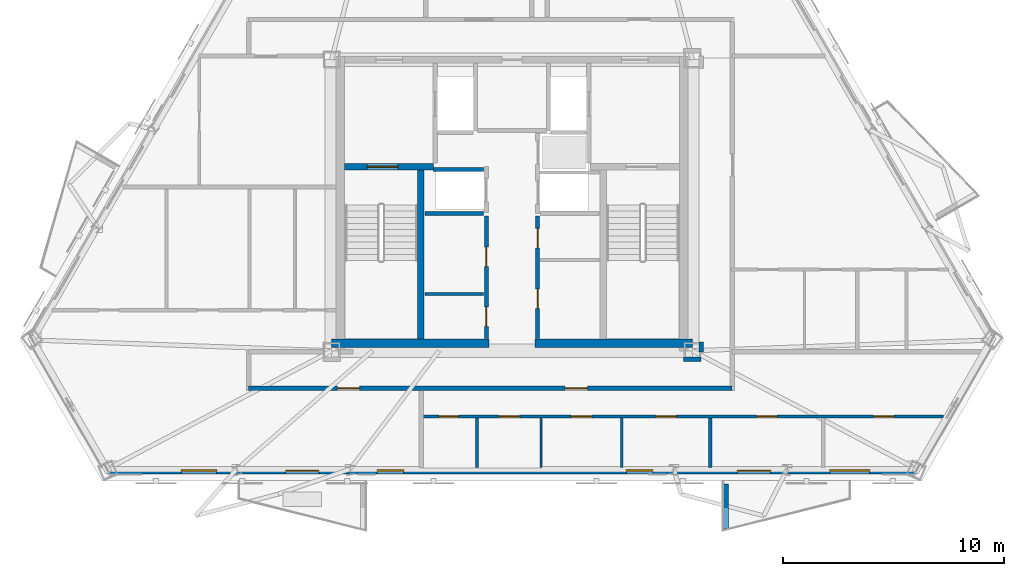
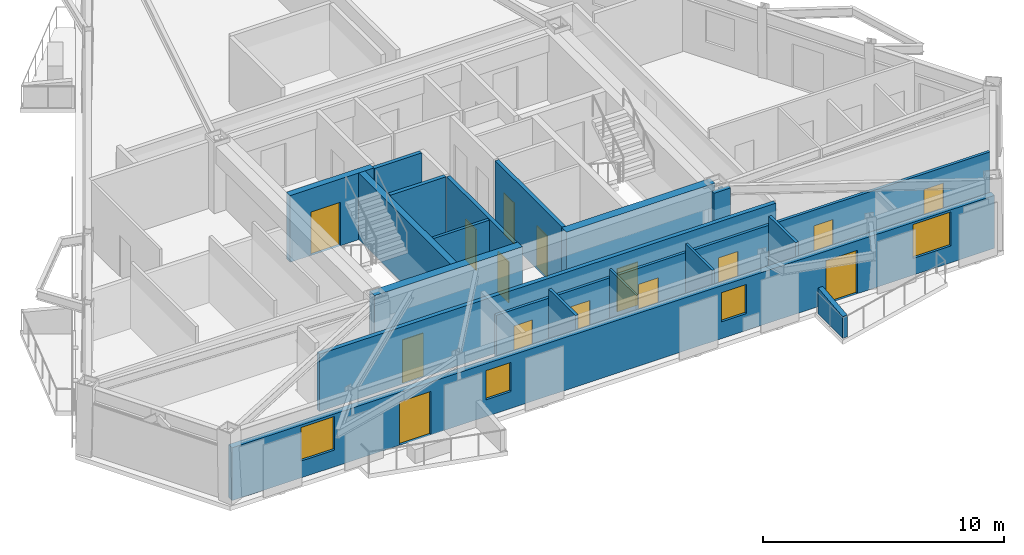
# One storey, part 3 of 11: 19 walls, 15 doors, 4 windows, 19 openings.
"""IFC4 building model written with IfcOpenShell, lengths in metres."""

from ifc_helpers import new_model, si_unit, direction, frame, frame_2d, origin, place, context, subcontext, project, spatial, polyline, rectangle, outline, extrude, material, layer, layer_set, type_object, element, fill, save


model = new_model("IFC4")

# Units and contexts
model_context = context("Model", 3, precision=1e-05, world=origin(), true_north=direction((0.0, 1.0)))
body_context = subcontext(model_context, "Body", "Model", "MODEL_VIEW")
ifc_project = project(units=[si_unit("LENGTHUNIT", "METRE"), si_unit("AREAUNIT", "SQUARE_METRE"), si_unit("VOLUMEUNIT", "CUBIC_METRE"), si_unit("PLANEANGLEUNIT", "RADIAN"), si_unit("MASSUNIT", "GRAM", prefix="KILO")], contexts=[model_context])

# Site, building, storey
site_placement = place(None, origin())
site = spatial("IfcSite", under=ifc_project, at=site_placement, CompositionType="ELEMENT")
building_placement = place(site_placement, origin())
building = spatial("IfcBuilding", under=site, at=building_placement, Name="Oramaril Tower", CompositionType="ELEMENT")
storey_placement = place(building_placement, frame((0.0, 0.0, 212.699951171875)))
storey = spatial("IfcBuildingStorey", under=building, at=storey_placement, Name="L56", CompositionType="ELEMENT", Elevation=212.699951171875)

# Wall, openings, doors, windows
ifc_material_1 = material(Name="Warm Cream Limestone", Category="masonry")
ifc_layer_1 = layer(ifc_material_1, 0.2900390625)
ifc_layer_set_1 = layer_set([ifc_layer_1], Name="WT-EXT29")
wall_type_1 = type_object("IfcWallType", Name="WT-EXT29", PredefinedType="SOLIDWALL", material=ifc_layer_set_1)
wall_1_placement = place(storey_placement, frame((19.238525390625, 5.584716796875, 0.0), z_axis=(0.0, 0.0, 1.0), x_axis=(1.0, 0.0, 0.0)))
wall_1 = element("IfcWall", 1, at=wall_1_placement, inside=storey, type_object=wall_type_1, Name="L56 Tower Limestone Facade Wall 2M", PredefinedType="SOLIDWALL", context=body_context, shape_type="SweptSolid", body=[
    extrude(rectangle(XDim=36.52294921875, YDim=0.2900390625, at=frame_2d((18.261474609375, 0.0))), origin(), (0.0, 0.0, 1.0), 2.677001953125),
])
opening_1_placement = place(wall_1_placement, frame((8.034423828125, 0.0, 0.0)))
opening_1 = element("IfcOpeningElement", 2, at=opening_1_placement, cuts=wall_1, Name="Opening D-L56-BAL-S1", PredefinedType="OPENING", context=body_context, shape_type="SweptSolid", body=[
    extrude(rectangle(XDim=1.5, YDim=2.199951171875, at=frame_2d((0.75, 1.10009765625))), frame((0.0, 0.14501953125, 0.0), z_axis=(0.0, -1.0, 0.0), x_axis=(1.0, 0.0, 0.0)), (0.0, 0.0, 1.0), 0.2900390625),
])
opening_2_placement = place(wall_1_placement, frame((28.443359375, 0.0, 0.0)))
opening_2 = element("IfcOpeningElement", 3, at=opening_2_placement, cuts=wall_1, Name="Opening D-L56-BAL-S2", PredefinedType="OPENING", context=body_context, shape_type="SweptSolid", body=[
    extrude(rectangle(XDim=1.5, YDim=2.199951171875, at=frame_2d((0.75, 1.10009765625))), frame((0.0, 0.14501953125, 0.0), z_axis=(0.0, -1.0, 0.0), x_axis=(1.0, 0.0, 0.0)), (0.0, 0.0, 1.0), 0.2900390625),
])
opening_3_placement = place(wall_1_placement, frame((23.430908203125, 0.0, 0.85009765625)))
opening_3 = element("IfcOpeningElement", 4, at=opening_3_placement, cuts=wall_1, Name="Opening WN-09", PredefinedType="OPENING", context=body_context, shape_type="SweptSolid", body=[
    extrude(rectangle(XDim=1.199951171875, YDim=1.47998046875, at=frame_2d((0.60009765625, 0.739990234375))), frame((0.0, 0.14501953125, 0.0), z_axis=(0.0, -1.0, 0.0), x_axis=(1.0, 0.0, 0.0)), (0.0, 0.0, 1.0), 0.2900390625),
])
opening_4_placement = place(wall_1_placement, frame((32.623291015625, 0.0, 0.85009765625)))
opening_4 = element("IfcOpeningElement", 5, at=opening_4_placement, cuts=wall_1, Name="Opening WN-06", PredefinedType="OPENING", context=body_context, shape_type="SweptSolid", body=[
    extrude(rectangle(XDim=1.800048828125, YDim=1.717041015625, at=frame_2d((0.89990234375, 0.8583984375))), frame((0.0, 0.14501953125, 0.0), z_axis=(0.0, -1.0, 0.0), x_axis=(1.0, 0.0, 0.0)), (0.0, 0.0, 1.0), 0.2900390625),
])
opening_5_placement = place(wall_1_placement, frame((3.31591796875, 0.0, 0.85009765625)))
opening_5 = element("IfcOpeningElement", 6, at=opening_5_placement, cuts=wall_1, Name="Opening WN-07", PredefinedType="OPENING", context=body_context, shape_type="SweptSolid", body=[
    extrude(rectangle(XDim=1.60009765625, YDim=1.699951171875, at=frame_2d((0.800048828125, 0.85009765625))), frame((0.0, 0.14501953125, 0.0), z_axis=(0.0, -1.0, 0.0), x_axis=(1.0, 0.0, 0.0)), (0.0, 0.0, 1.0), 0.2900390625),
])
opening_6_placement = place(wall_1_placement, frame((12.16748046875, 0.0, 0.85009765625)))
opening_6 = element("IfcOpeningElement", 7, at=opening_6_placement, cuts=wall_1, Name="Opening WN-09", PredefinedType="OPENING", context=body_context, shape_type="SweptSolid", body=[
    extrude(rectangle(XDim=1.199951171875, YDim=1.47998046875, at=frame_2d((0.60009765625, 0.739990234375))), frame((0.0, 0.14501953125, 0.0), z_axis=(0.0, -1.0, 0.0), x_axis=(1.0, 0.0, 0.0)), (0.0, 0.0, 1.0), 0.2900390625),
])
ifc_material_2 = material(Name="Anodised Aluminium 6063-T6", Category="aluminium")
door_type_1 = type_object("IfcDoorType", Name="DT-BAL", OperationType="NOTDEFINED", PredefinedType="DOOR", material=ifc_material_2)
door_1_placement = place(opening_1_placement, origin())
door_1 = element("IfcDoor", 8, at=door_1_placement, inside=storey, type_object=door_type_1, Name="L56 Balcony Glazed Door L56-BAL-S1", OperationType="SINGLE_SWING_LEFT", OverallHeight=2.199951171875, OverallWidth=1.5, PredefinedType="DOOR", context=body_context, shape_type="SweptSolid", body=[
    extrude(rectangle(XDim=1.5, YDim=2.199951171875, at=frame_2d((0.75, 1.10009765625))), frame((0.0, 0.02490234375, 0.0), z_axis=(0.0, -1.0, 0.0), x_axis=(1.0, 0.0, 0.0)), (0.0, 0.0, 1.0), 0.050048828125),
])
fill(opening_1, door_1)
door_2_placement = place(opening_2_placement, origin())
door_2 = element("IfcDoor", 9, at=door_2_placement, inside=storey, type_object=door_type_1, Name="L56 Balcony Glazed Door L56-BAL-S2", OperationType="SINGLE_SWING_RIGHT", OverallHeight=2.199951171875, OverallWidth=1.5, PredefinedType="DOOR", context=body_context, shape_type="SweptSolid", body=[
    extrude(rectangle(XDim=1.5, YDim=2.199951171875, at=frame_2d((0.75, 1.10009765625))), frame((0.0, 0.02490234375, 0.0), z_axis=(0.0, -1.0, 0.0), x_axis=(1.0, 0.0, 0.0)), (0.0, 0.0, 1.0), 0.050048828125),
])
fill(opening_2, door_2)
ifc_material_3 = material(Name="Coastal Low-E Insulated Glass", Category="glass")
window_type_1 = type_object("IfcWindowType", Name="WNT-06", PartitioningType="SINGLE_PANEL", PredefinedType="WINDOW", material=ifc_material_3)
window_1_placement = place(opening_4_placement, origin())
window_1 = element("IfcWindow", 10, at=window_1_placement, inside=storey, type_object=window_type_1, Name="L56 Chicago Bay Window WN-06", OverallHeight=1.717041015625, OverallWidth=1.800048828125, PartitioningType="SINGLE_PANEL", PredefinedType="WINDOW", context=body_context, shape_type="SweptSolid", body=[
    extrude(rectangle(XDim=1.800048828125, YDim=1.717041015625, at=frame_2d((0.89990234375, 0.8583984375))), frame((0.0, 0.030029296875, 0.0), z_axis=(0.0, -1.0, 0.0), x_axis=(1.0, 0.0, 0.0)), (0.0, 0.0, 1.0), 0.06005859375),
])
fill(opening_4, window_1)
ifc_material_4 = material(Name="Coastal Low-E Insulated Glass", Category="glass")
window_type_2 = type_object("IfcWindowType", Name="WNT-07", PartitioningType="SINGLE_PANEL", PredefinedType="WINDOW", material=ifc_material_4)
window_2_placement = place(opening_5_placement, origin())
window_2 = element("IfcWindow", 11, at=window_2_placement, inside=storey, type_object=window_type_2, Name="L56 Chicago Bay Window WN-07", OverallHeight=1.699951171875, OverallWidth=1.60009765625, PartitioningType="SINGLE_PANEL", PredefinedType="WINDOW", context=body_context, shape_type="SweptSolid", body=[
    extrude(rectangle(XDim=1.60009765625, YDim=1.699951171875, at=frame_2d((0.800048828125, 0.85009765625))), frame((0.0, 0.030029296875, 0.0), z_axis=(0.0, -1.0, 0.0), x_axis=(1.0, 0.0, 0.0)), (0.0, 0.0, 1.0), 0.06005859375),
])
fill(opening_5, window_2)
ifc_material_5 = material(Name="Coastal Low-E Insulated Glass", Category="glass")
window_type_3 = type_object("IfcWindowType", Name="WNT-09", PartitioningType="SINGLE_PANEL", PredefinedType="WINDOW", material=ifc_material_5)
window_3_placement = place(opening_3_placement, origin())
window_3 = element("IfcWindow", 12, at=window_3_placement, inside=storey, type_object=window_type_3, Name="L56 Chicago Bay Window WN-09", OverallHeight=1.47998046875, OverallWidth=1.199951171875, PartitioningType="SINGLE_PANEL", PredefinedType="WINDOW", context=body_context, shape_type="SweptSolid", body=[
    extrude(rectangle(XDim=1.199951171875, YDim=1.47998046875, at=frame_2d((0.60009765625, 0.739990234375))), frame((0.0, 0.030029296875, 0.0), z_axis=(0.0, -1.0, 0.0), x_axis=(1.0, 0.0, 0.0)), (0.0, 0.0, 1.0), 0.06005859375),
])
fill(opening_3, window_3)
window_4_placement = place(opening_6_placement, origin())
window_4 = element("IfcWindow", 13, at=window_4_placement, inside=storey, type_object=window_type_3, Name="L56 Chicago Bay Window WN-09", OverallHeight=1.47998046875, OverallWidth=1.199951171875, PartitioningType="SINGLE_PANEL", PredefinedType="WINDOW", context=body_context, shape_type="SweptSolid", body=[
    extrude(rectangle(XDim=1.199951171875, YDim=1.47998046875, at=frame_2d((0.60009765625, 0.739990234375))), frame((0.0, 0.030029296875, 0.0), z_axis=(0.0, -1.0, 0.0), x_axis=(1.0, 0.0, 0.0)), (0.0, 0.0, 1.0), 0.06005859375),
])
fill(opening_6, window_4)

# Walls
ifc_material_6 = material(Name="Concrete C40/50", Category="concrete")
ifc_layer_2 = layer(ifc_material_6, 0.22998046875)
ifc_layer_set_2 = layer_set([ifc_layer_2], Name="WT-PRP23")
wall_type_2 = type_object("IfcWallType", Name="WT-PRP23", PredefinedType="PARAPET", material=ifc_layer_set_2)
wall_2_placement = place(storey_placement, frame((47.156982421875, 4.98681640625, 0.0), z_axis=(0.0, 0.0, 1.0), x_axis=(0.0, -1.0, 0.0)))
element("IfcWall", 14, at=wall_2_placement, inside=storey, type_object=wall_type_2, Name="L56 Trapezoidal Balcony Frame Cheek L56-BAL-S2-L", PredefinedType="PARAPET", context=body_context, shape_type="SweptSolid", body=[
    extrude(outline(polyline([(0.0, 0.0), (2.0419921875, 0.0), (2.0419921875, 1.10009765625), (0.0, 1.320068359375), (0.0, 0.0)])), frame((0.0, 0.114990234375, 0.0), z_axis=(0.0, -1.0, 0.0), x_axis=(1.0, 0.0, 0.0)), (0.0, 0.0, 1.0), 0.22998046875),
])
ifc_material_7 = material(Name="Acoustic Gypsum Board Partition")
ifc_layer_3 = layer(ifc_material_7, 0.10009765625)
ifc_layer_set_3 = layer_set([ifc_layer_3], Name="WT-PT10")
wall_type_3 = type_object("IfcWallType", Name="WT-PT10", PredefinedType="PARTITIONING", material=ifc_layer_set_3)
wall_3_placement = place(storey_placement, frame((38.81005859375, 5.73388671875, 0.0), z_axis=(0.0, 0.0, 1.0), x_axis=(0.0, 1.0, 0.0)))
element("IfcWall", 15, at=wall_3_placement, inside=storey, type_object=wall_type_3, Name="L56 Interior Partition PT-10", PredefinedType="PARTITIONING", context=body_context, shape_type="SweptSolid", body=[
    extrude(rectangle(XDim=2.22216796875, YDim=0.10009765625, at=frame_2d((1.111083984375, 0.0))), origin(), (0.0, 0.0, 1.0), 3.380126953125),
])
ifc_material_8 = material(Name="Acoustic Gypsum Board Partition")
ifc_layer_4 = layer(ifc_material_8, 0.1201171875)
ifc_layer_set_4 = layer_set([ifc_layer_4], Name="WT-PT12")
wall_type_4 = type_object("IfcWallType", Name="WT-PT12", PredefinedType="PARTITIONING", material=ifc_layer_set_4)
wall_4_placement = place(storey_placement, frame((42.4599609375, 5.73388671875, 0.0), z_axis=(0.0, 0.0, 1.0), x_axis=(0.0, 1.0, 0.0)))
element("IfcWall", 16, at=wall_4_placement, inside=storey, type_object=wall_type_4, Name="L56 Interior Partition PT-12", PredefinedType="PARTITIONING", context=body_context, shape_type="SweptSolid", body=[
    extrude(rectangle(XDim=2.22216796875, YDim=0.1201171875, at=frame_2d((1.111083984375, 0.0))), origin(), (0.0, 0.0, 1.0), 3.380126953125),
])
ifc_material_9 = material(Name="Acoustic Gypsum Board Partition")
ifc_layer_5 = layer(ifc_material_9, 0.139892578125)
ifc_layer_set_5 = layer_set([ifc_layer_5], Name="WT-PT14")
wall_type_5 = type_object("IfcWallType", Name="WT-PT14", PredefinedType="PARTITIONING", material=ifc_layer_set_5)
wall_5_placement = place(storey_placement, frame((33.56005859375, 13.570068359375, 0.0), z_axis=(0.0, 0.0, 1.0), x_axis=(1.0, 0.0, 0.0)))
element("IfcWall", 17, at=wall_5_placement, inside=storey, type_object=wall_type_5, Name="L56 Freed Shaft Divider", PredefinedType="PARTITIONING", context=body_context, shape_type="SweptSolid", body=[
    extrude(rectangle(XDim=2.659912109375, YDim=0.139892578125, at=frame_2d((1.330078125, 0.0))), origin(), (0.0, 0.0, 1.0), 3.380126953125),
])

# Wall, openings, doors
wall_6_placement = place(storey_placement, frame((33.35009765625, 8.030029296875, 0.0), z_axis=(0.0, 0.0, 1.0), x_axis=(1.0, 0.0, 0.0)))
wall_6 = element("IfcWall", 18, at=wall_6_placement, inside=storey, type_object=wall_type_5, Name="L56 Interior Partition PT-14", PredefinedType="PARTITIONING", context=body_context, shape_type="SweptSolid", body=[
    extrude(rectangle(XDim=23.651123046875, YDim=0.139892578125, at=frame_2d((11.82568359375, 0.0))), origin(), (0.0, 0.0, 1.0), 2.9130859375),
])
opening_7_placement = place(wall_6_placement, frame((0.85498046875, 0.0, 0.0)))
opening_7 = element("IfcOpeningElement", 19, at=opening_7_placement, cuts=wall_6, Name="Opening D-L56-01", PredefinedType="OPENING", context=body_context, shape_type="SweptSolid", body=[
    extrude(rectangle(XDim=0.8798828125, YDim=2.080078125, at=frame_2d((0.43994140625, 1.0400390625))), frame((0.0, 0.06982421875, 0.0), z_axis=(0.0, -1.0, 0.0), x_axis=(1.0, 0.0, 0.0)), (0.0, 0.0, 1.0), 0.139892578125),
])
opening_8_placement = place(wall_6_placement, frame((3.541748046875, 0.0, 0.0)))
opening_8 = element("IfcOpeningElement", 20, at=opening_8_placement, cuts=wall_6, Name="Opening D-L56-02", PredefinedType="OPENING", context=body_context, shape_type="SweptSolid", body=[
    extrude(rectangle(XDim=0.949951171875, YDim=2.10009765625, at=frame_2d((0.47509765625, 1.050048828125))), frame((0.0, 0.06982421875, 0.0), z_axis=(0.0, -1.0, 0.0), x_axis=(1.0, 0.0, 0.0)), (0.0, 0.0, 1.0), 0.139892578125),
])
opening_9_placement = place(wall_6_placement, frame((6.810302734375, 0.0, 0.0)))
opening_9 = element("IfcOpeningElement", 21, at=opening_9_placement, cuts=wall_6, Name="Opening D-L56-03", PredefinedType="OPENING", context=body_context, shape_type="SweptSolid", body=[
    extrude(rectangle(XDim=0.949951171875, YDim=2.10009765625, at=frame_2d((0.47509765625, 1.050048828125))), frame((0.0, 0.06982421875, 0.0), z_axis=(0.0, -1.0, 0.0), x_axis=(1.0, 0.0, 0.0)), (0.0, 0.0, 1.0), 0.139892578125),
])
opening_10_placement = place(wall_6_placement, frame((10.635498046875, 0.0, 0.0)))
opening_10 = element("IfcOpeningElement", 22, at=opening_10_placement, cuts=wall_6, Name="Opening D-L56-04", PredefinedType="OPENING", context=body_context, shape_type="SweptSolid", body=[
    extrude(rectangle(XDim=0.949951171875, YDim=2.10009765625, at=frame_2d((0.47509765625, 1.050048828125))), frame((0.0, 0.06982421875, 0.0), z_axis=(0.0, -1.0, 0.0), x_axis=(1.0, 0.0, 0.0)), (0.0, 0.0, 1.0), 0.139892578125),
])
opening_11_placement = place(wall_6_placement, frame((15.20458984375, 0.0, 0.0)))
opening_11 = element("IfcOpeningElement", 23, at=opening_11_placement, cuts=wall_6, Name="Opening D-L56-05", PredefinedType="OPENING", context=body_context, shape_type="SweptSolid", body=[
    extrude(rectangle(XDim=0.919921875, YDim=2.1201171875, at=frame_2d((0.4599609375, 1.06005859375))), frame((0.0, 0.06982421875, 0.0), z_axis=(0.0, -1.0, 0.0), x_axis=(1.0, 0.0, 0.0)), (0.0, 0.0, 1.0), 0.139892578125),
])
opening_12_placement = place(wall_6_placement, frame((20.4873046875, 0.0, 0.0)))
opening_12 = element("IfcOpeningElement", 24, at=opening_12_placement, cuts=wall_6, Name="Opening D-L56-06", PredefinedType="OPENING", context=body_context, shape_type="SweptSolid", body=[
    extrude(rectangle(XDim=0.919921875, YDim=2.1201171875, at=frame_2d((0.4599609375, 1.06005859375))), frame((0.0, 0.06982421875, 0.0), z_axis=(0.0, -1.0, 0.0), x_axis=(1.0, 0.0, 0.0)), (0.0, 0.0, 1.0), 0.139892578125),
])
ifc_material_10 = material(Name="FSC Brazilian Freijo Hardwood", Category="wood")
door_type_2 = type_object("IfcDoorType", Name="DT-BATH", OperationType="NOTDEFINED", PredefinedType="DOOR", material=ifc_material_10)
door_3_placement = place(opening_7_placement, origin())
door_3 = element("IfcDoor", 25, at=door_3_placement, inside=storey, type_object=door_type_2, Name="L56 Flat L56-U1 Bathroom Door D-L56-01", OperationType="SINGLE_SWING_RIGHT", OverallHeight=2.080078125, OverallWidth=0.8798828125, PredefinedType="DOOR", context=body_context, shape_type="SweptSolid", body=[
    extrude(rectangle(XDim=0.8798828125, YDim=2.080078125, at=frame_2d((0.43994140625, 1.0400390625))), frame((0.0, 0.02490234375, 0.0), z_axis=(0.0, -1.0, 0.0), x_axis=(1.0, 0.0, 0.0)), (0.0, 0.0, 1.0), 0.050048828125),
])
fill(opening_7, door_3)
ifc_material_11 = material(Name="FSC Brazilian Freijo Hardwood", Category="wood")
door_type_3 = type_object("IfcDoorType", Name="DT-BED", OperationType="NOTDEFINED", PredefinedType="DOOR", material=ifc_material_11)
door_4_placement = place(opening_11_placement, origin())
door_4 = element("IfcDoor", 26, at=door_4_placement, inside=storey, type_object=door_type_3, Name="L56 Flat L56-U1 Bedroom 2 Door D-L56-05", OperationType="SINGLE_SWING_RIGHT", OverallHeight=2.1201171875, OverallWidth=0.919921875, PredefinedType="DOOR", context=body_context, shape_type="SweptSolid", body=[
    extrude(rectangle(XDim=0.919921875, YDim=2.1201171875, at=frame_2d((0.4599609375, 1.06005859375))), frame((0.0, 0.02490234375, 0.0), z_axis=(0.0, -1.0, 0.0), x_axis=(1.0, 0.0, 0.0)), (0.0, 0.0, 1.0), 0.050048828125),
])
fill(opening_11, door_4)
door_5_placement = place(opening_12_placement, origin())
door_5 = element("IfcDoor", 27, at=door_5_placement, inside=storey, type_object=door_type_3, Name="L56 Flat L56-U1 Master Bedroom Door D-L56-06", OperationType="SINGLE_SWING_LEFT", OverallHeight=2.1201171875, OverallWidth=0.919921875, PredefinedType="DOOR", context=body_context, shape_type="SweptSolid", body=[
    extrude(rectangle(XDim=0.919921875, YDim=2.1201171875, at=frame_2d((0.4599609375, 1.06005859375))), frame((0.0, 0.02490234375, 0.0), z_axis=(0.0, -1.0, 0.0), x_axis=(1.0, 0.0, 0.0)), (0.0, 0.0, 1.0), 0.050048828125),
])
fill(opening_12, door_5)
ifc_material_12 = material(Name="FSC Brazilian Freijo Hardwood", Category="wood")
door_type_4 = type_object("IfcDoorType", Name="DT-STDY", OperationType="NOTDEFINED", PredefinedType="DOOR", material=ifc_material_12)
door_6_placement = place(opening_8_placement, origin())
door_6 = element("IfcDoor", 28, at=door_6_placement, inside=storey, type_object=door_type_4, Name="L56 Flat L56-U1 Kitchen Door D-L56-02", OperationType="SINGLE_SWING_LEFT", OverallHeight=2.10009765625, OverallWidth=0.949951171875, PredefinedType="DOOR", context=body_context, shape_type="SweptSolid", body=[
    extrude(rectangle(XDim=0.949951171875, YDim=2.10009765625, at=frame_2d((0.47509765625, 1.050048828125))), frame((0.0, 0.02490234375, 0.0), z_axis=(0.0, -1.0, 0.0), x_axis=(1.0, 0.0, 0.0)), (0.0, 0.0, 1.0), 0.050048828125),
])
fill(opening_8, door_6)
door_7_placement = place(opening_9_placement, origin())
door_7 = element("IfcDoor", 29, at=door_7_placement, inside=storey, type_object=door_type_4, Name="L56 Flat L56-U1 Private Dining Room Door D-L56-03", OperationType="SINGLE_SWING_RIGHT", OverallHeight=2.10009765625, OverallWidth=0.949951171875, PredefinedType="DOOR", context=body_context, shape_type="SweptSolid", body=[
    extrude(rectangle(XDim=0.949951171875, YDim=2.10009765625, at=frame_2d((0.47509765625, 1.050048828125))), frame((0.0, 0.02490234375, 0.0), z_axis=(0.0, -1.0, 0.0), x_axis=(1.0, 0.0, 0.0)), (0.0, 0.0, 1.0), 0.050048828125),
])
fill(opening_9, door_7)
door_8_placement = place(opening_10_placement, origin())
door_8 = element("IfcDoor", 30, at=door_8_placement, inside=storey, type_object=door_type_4, Name="L56 Flat L56-U1 Reading Study Door D-L56-04", OperationType="SINGLE_SWING_LEFT", OverallHeight=2.10009765625, OverallWidth=0.949951171875, PredefinedType="DOOR", context=body_context, shape_type="SweptSolid", body=[
    extrude(rectangle(XDim=0.949951171875, YDim=2.10009765625, at=frame_2d((0.47509765625, 1.050048828125))), frame((0.0, 0.02490234375, 0.0), z_axis=(0.0, -1.0, 0.0), x_axis=(1.0, 0.0, 0.0)), (0.0, 0.0, 1.0), 0.050048828125),
])
fill(opening_10, door_8)

# Walls
for number, where, z_axis, x_axis, name in (
    (31, (35.919921875, 5.73388671875, 0.0), (0.0, 0.0, 1.0), (0.0, 1.0, 0.0), "L56 Interior Partition PT-14"),
    (32, (46.4599609375, 5.73388671875, 0.0), (0.0, 0.0, 1.0), (0.0, 1.0, 0.0), "L56 Interior Partition PT-14"),
):
    element("IfcWall", number, at=place(storey_placement, frame(where, z_axis=z_axis, x_axis=x_axis)), inside=storey, type_object=wall_type_5, Name=name, PredefinedType="PARTITIONING", context=body_context, shape_type="SweptSolid", body=[
        extrude(rectangle(XDim=2.22216796875, YDim=0.139892578125, at=frame_2d((1.111083984375, 0.0))), origin(), (0.0, 0.0, 1.0), 3.380126953125),
    ])
ifc_material_13 = material(Name="Autoclaved Cellular Concrete Block", Category="concrete")
ifc_layer_6 = layer(ifc_material_13, 0.179931640625)
ifc_layer_set_6 = layer_set([ifc_layer_6], Name="WT-PT18")
wall_type_6 = type_object("IfcWallType", Name="WT-PT18", PredefinedType="PARTITIONING", material=ifc_layer_set_6)
wall_7_placement = place(storey_placement, frame((33.949951171875, 19.199951171875, 0.0), z_axis=(0.0, 0.0, 1.0), x_axis=(1.0, 0.0, 0.0)))
element("IfcWall", 33, at=wall_7_placement, inside=storey, type_object=wall_type_6, Name="L56 High-Rise Lift H1 North Shaft Wall", PredefinedType="PARTITIONING", context=body_context, shape_type="SweptSolid", body=[
    extrude(rectangle(XDim=2.27001953125, YDim=0.179931640625, at=frame_2d((1.135009765625, 0.0))), origin(), (0.0, 0.0, 1.0), 3.380126953125),
])
wall_8_placement = place(storey_placement, frame((33.56005859375, 17.199951171875, 0.0), z_axis=(0.0, 0.0, 1.0), x_axis=(1.0, 0.0, 0.0)))
element("IfcWall", 34, at=wall_8_placement, inside=storey, type_object=wall_type_6, Name="L56 High-Rise Lift H1 South Wall", PredefinedType="PARTITIONING", context=body_context, shape_type="SweptSolid", body=[
    extrude(rectangle(XDim=2.659912109375, YDim=0.179931640625, at=frame_2d((1.330078125, 0.0))), origin(), (0.0, 0.0, 1.0), 3.380126953125),
])

# Wall, openings, doors
wall_9_placement = place(storey_placement, frame((36.340087890625, 11.550048828125, 0.0), z_axis=(0.0, 0.0, 1.0), x_axis=(0.0, 1.0, 0.0)))
wall_9 = element("IfcWall", 35, at=wall_9_placement, inside=storey, type_object=wall_type_6, Name="L56 Freed Shaft Study East Wall", PredefinedType="PARTITIONING", context=body_context, shape_type="SweptSolid", body=[
    extrude(rectangle(XDim=5.550048828125, YDim=0.179931640625, at=frame_2d((2.77490234375, 0.0))), origin(), (0.0, 0.0, 1.0), 3.380126953125),
])
opening_13_placement = place(wall_9_placement, frame((0.550048828125, 0.0, 0.0)))
opening_13 = element("IfcOpeningElement", 36, at=opening_13_placement, cuts=wall_9, Name="Opening D-L56-FL1", PredefinedType="OPENING", context=body_context, shape_type="SweptSolid", body=[
    extrude(rectangle(XDim=0.8798828125, YDim=2.080078125, at=frame_2d((0.43994140625, 1.0400390625))), frame((0.0, 0.08984375, 0.0), z_axis=(0.0, -1.0, 0.0), x_axis=(1.0, 0.0, 0.0)), (0.0, 0.0, 1.0), 0.179931640625),
])
opening_14_placement = place(wall_9_placement, frame((3.25, 0.0, 0.0)))
opening_14 = element("IfcOpeningElement", 37, at=opening_14_placement, cuts=wall_9, Name="Opening D-L56-FL2", PredefinedType="OPENING", context=body_context, shape_type="SweptSolid", body=[
    extrude(rectangle(XDim=0.8798828125, YDim=2.080078125, at=frame_2d((0.43994140625, 1.0400390625))), frame((0.0, 0.08984375, 0.0), z_axis=(0.0, -1.0, 0.0), x_axis=(1.0, 0.0, 0.0)), (0.0, 0.0, 1.0), 0.179931640625),
])
door_9_placement = place(opening_13_placement, origin())
door_9 = element("IfcDoor", 38, at=door_9_placement, inside=storey, type_object=door_type_2, Name="L56 L56 Residents Tasting Dining Nook Door", OperationType="SINGLE_SWING_LEFT", OverallHeight=2.080078125, OverallWidth=0.8798828125, PredefinedType="DOOR", context=body_context, shape_type="SweptSolid", body=[
    extrude(rectangle(XDim=0.8798828125, YDim=2.080078125, at=frame_2d((0.43994140625, 1.0400390625))), frame((0.0, 0.02490234375, 0.0), z_axis=(0.0, -1.0, 0.0), x_axis=(1.0, 0.0, 0.0)), (0.0, 0.0, 1.0), 0.050048828125),
])
fill(opening_13, door_9)
door_10_placement = place(opening_14_placement, origin())
door_10 = element("IfcDoor", 39, at=door_10_placement, inside=storey, type_object=door_type_2, Name="L56 L56 Floor Co-Work Office Door", OperationType="SINGLE_SWING_RIGHT", OverallHeight=2.080078125, OverallWidth=0.8798828125, PredefinedType="DOOR", context=body_context, shape_type="SweptSolid", body=[
    extrude(rectangle(XDim=0.8798828125, YDim=2.080078125, at=frame_2d((0.43994140625, 1.0400390625))), frame((0.0, 0.02490234375, 0.0), z_axis=(0.0, -1.0, 0.0), x_axis=(1.0, 0.0, 0.0)), (0.0, 0.0, 1.0), 0.050048828125),
])
fill(opening_14, door_10)

wall_10_placement = place(storey_placement, frame((38.659912109375, 11.550048828125, 0.0), z_axis=(0.0, 0.0, 1.0), x_axis=(0.0, 1.0, 0.0)))
wall_10 = element("IfcWall", 40, at=wall_10_placement, inside=storey, type_object=wall_type_6, Name="L56 Freed Shaft Alcove West Wall", PredefinedType="PARTITIONING", context=body_context, shape_type="SweptSolid", body=[
    extrude(rectangle(XDim=5.550048828125, YDim=0.179931640625, at=frame_2d((2.77490234375, 0.0))), origin(), (0.0, 0.0, 1.0), 3.380126953125),
])
opening_15_placement = place(wall_10_placement, frame((1.35009765625, 0.0, 0.0)))
opening_15 = element("IfcOpeningElement", 41, at=opening_15_placement, cuts=wall_10, Name="Opening D-L56-FM1", PredefinedType="OPENING", context=body_context, shape_type="SweptSolid", body=[
    extrude(rectangle(XDim=0.8798828125, YDim=2.080078125, at=frame_2d((0.43994140625, 1.0400390625))), frame((0.0, 0.08984375, 0.0), z_axis=(0.0, -1.0, 0.0), x_axis=(1.0, 0.0, 0.0)), (0.0, 0.0, 1.0), 0.179931640625),
])
opening_16_placement = place(wall_10_placement, frame((4.10009765625, 0.0, 0.0)))
opening_16 = element("IfcOpeningElement", 42, at=opening_16_placement, cuts=wall_10, Name="Opening D-L56-FM2", PredefinedType="OPENING", context=body_context, shape_type="SweptSolid", body=[
    extrude(rectangle(XDim=0.8798828125, YDim=2.080078125, at=frame_2d((0.43994140625, 1.0400390625))), frame((0.0, 0.08984375, 0.0), z_axis=(0.0, -1.0, 0.0), x_axis=(1.0, 0.0, 0.0)), (0.0, 0.0, 1.0), 0.179931640625),
])
door_11_placement = place(opening_15_placement, origin())
door_11 = element("IfcDoor", 43, at=door_11_placement, inside=storey, type_object=door_type_2, Name="L56 L56 Private Home Office Door", OperationType="SINGLE_SWING_RIGHT", OverallHeight=2.080078125, OverallWidth=0.8798828125, PredefinedType="DOOR", context=body_context, shape_type="SweptSolid", body=[
    extrude(rectangle(XDim=0.8798828125, YDim=2.080078125, at=frame_2d((0.43994140625, 1.0400390625))), frame((0.0, 0.02490234375, 0.0), z_axis=(0.0, -1.0, 0.0), x_axis=(1.0, 0.0, 0.0)), (0.0, 0.0, 1.0), 0.050048828125),
])
fill(opening_15, door_11)
door_12_placement = place(opening_16_placement, origin())
door_12 = element("IfcDoor", 44, at=door_12_placement, inside=storey, type_object=door_type_2, Name="L56 L56 Sky Tea Dining Alcove Door", OperationType="SINGLE_SWING_LEFT", OverallHeight=2.080078125, OverallWidth=0.8798828125, PredefinedType="DOOR", context=body_context, shape_type="SweptSolid", body=[
    extrude(rectangle(XDim=0.8798828125, YDim=2.080078125, at=frame_2d((0.43994140625, 1.0400390625))), frame((0.0, 0.02490234375, 0.0), z_axis=(0.0, -1.0, 0.0), x_axis=(1.0, 0.0, 0.0)), (0.0, 0.0, 1.0), 0.050048828125),
])
fill(opening_16, door_12)

ifc_material_14 = material(Name="Autoclaved Cellular Concrete Block", Category="concrete")
ifc_layer_7 = layer(ifc_material_14, 0.199951171875)
ifc_layer_set_7 = layer_set([ifc_layer_7], Name="WT-PT20")
wall_type_7 = type_object("IfcWallType", Name="WT-PT20", PredefinedType="PARTITIONING", material=ifc_layer_set_7)
wall_11_placement = place(storey_placement, frame((25.60009765625, 9.300048828125, 0.0), z_axis=(0.0, 0.0, 1.0), x_axis=(1.0, 0.0, 0.0)))
wall_11 = element("IfcWall", 45, at=wall_11_placement, inside=storey, type_object=wall_type_7, Name="L56 Interior Partition PT-20", PredefinedType="PARTITIONING", context=body_context, shape_type="SweptSolid", body=[
    extrude(rectangle(XDim=21.849853515625, YDim=0.199951171875, at=frame_2d((10.9248046875, 0.0))), origin(), (0.0, 0.0, 1.0), 2.9130859375),
])
opening_17_placement = place(wall_11_placement, frame((4.017578125, 0.0, 0.0)))
opening_17 = element("IfcOpeningElement", 46, at=opening_17_placement, cuts=wall_11, Name="Opening D-L56-07", PredefinedType="OPENING", context=body_context, shape_type="SweptSolid", body=[
    extrude(rectangle(XDim=1.0, YDim=2.179931640625, at=frame_2d((0.5, 1.08984375))), frame((0.0, 0.10009765625, 0.0), z_axis=(0.0, -1.0, 0.0), x_axis=(1.0, 0.0, 0.0)), (0.0, 0.0, 1.0), 0.199951171875),
])
opening_18_placement = place(wall_11_placement, frame((14.303955078125, 0.0, 0.0)))
opening_18 = element("IfcOpeningElement", 47, at=opening_18_placement, cuts=wall_11, Name="Opening D-L56-08", PredefinedType="OPENING", context=body_context, shape_type="SweptSolid", body=[
    extrude(rectangle(XDim=1.0, YDim=2.179931640625, at=frame_2d((0.5, 1.08984375))), frame((0.0, 0.10009765625, 0.0), z_axis=(0.0, -1.0, 0.0), x_axis=(1.0, 0.0, 0.0)), (0.0, 0.0, 1.0), 0.199951171875),
])
ifc_material_15 = material(Name="FSC Brazilian Freijo Hardwood", Category="wood")
door_type_5 = type_object("IfcDoorType", Name="DT-APT", OperationType="NOTDEFINED", PredefinedType="DOOR", material=ifc_material_15)
door_13_placement = place(opening_17_placement, origin())
door_13 = element("IfcDoor", 48, at=door_13_placement, inside=storey, type_object=door_type_5, Name="L56 Flat L56-U2 Penthouse Living and Dining Room Door D-L56-07", OperationType="SINGLE_SWING_RIGHT", OverallHeight=2.179931640625, OverallWidth=1.0, PredefinedType="DOOR", context=body_context, shape_type="SweptSolid", body=[
    extrude(rectangle(XDim=1.0, YDim=2.179931640625, at=frame_2d((0.5, 1.08984375))), frame((0.0, 0.02490234375, 0.0), z_axis=(0.0, -1.0, 0.0), x_axis=(1.0, 0.0, 0.0)), (0.0, 0.0, 1.0), 0.050048828125),
])
fill(opening_17, door_13)
door_14_placement = place(opening_18_placement, origin())
door_14 = element("IfcDoor", 49, at=door_14_placement, inside=storey, type_object=door_type_5, Name="L56 Flat L56-U1 2-Bedroom Living and Dining Room Door D-L56-08", OperationType="SINGLE_SWING_LEFT", OverallHeight=2.179931640625, OverallWidth=1.0, PredefinedType="DOOR", context=body_context, shape_type="SweptSolid", body=[
    extrude(rectangle(XDim=1.0, YDim=2.179931640625, at=frame_2d((0.5, 1.08984375))), frame((0.0, 0.02490234375, 0.0), z_axis=(0.0, -1.0, 0.0), x_axis=(1.0, 0.0, 0.0)), (0.0, 0.0, 1.0), 0.050048828125),
])
fill(opening_18, door_14)

# Walls
wall_12_placement = place(storey_placement, frame((45.260009765625, 10.610107421875, 0.0), z_axis=(0.0, 0.0, 1.0), x_axis=(1.0, 0.0, 0.0)))
element("IfcWall", 50, at=wall_12_placement, inside=storey, type_object=wall_type_7, Name="L56 Interior Partition PT-20", PredefinedType="PARTITIONING", context=body_context, shape_type="SweptSolid", body=[
    extrude(rectangle(XDim=0.780029296875, YDim=0.199951171875, at=frame_2d((0.39013671875, 0.0))), origin(), (0.0, 0.0, 1.0), 3.380126953125),
])
wall_13_placement = place(storey_placement, frame((46.050048828125, 10.949951171875, 0.0), z_axis=(0.0, 0.0, 1.0), x_axis=(0.0, 1.0, 0.0)))
element("IfcWall", 51, at=wall_13_placement, inside=storey, type_object=wall_type_7, Name="L56 Interior Partition PT-20", PredefinedType="PARTITIONING", context=body_context, shape_type="SweptSolid", body=[
    extrude(rectangle(XDim=0.445068359375, YDim=0.199951171875, at=frame_2d((0.22265625, 0.0))), origin(), (0.0, 0.0, 1.0), 2.9130859375),
])

# Wall, opening, door
ifc_material_16 = material(Name="Concrete C50/60", Category="concrete")
ifc_layer_8 = layer(ifc_material_16, 0.300048828125)
ifc_layer_set_8 = layer_set([ifc_layer_8], Name="WT-SH30")
wall_type_8 = type_object("IfcWallType", Name="WT-SH30", PredefinedType="SHEAR", material=ifc_layer_set_8)
wall_14_placement = place(storey_placement, frame((29.93994140625, 19.31005859375, 0.0), z_axis=(0.0, 0.0, 1.0), x_axis=(1.0, 0.0, 0.0)))
wall_14 = element("IfcWall", 52, at=wall_14_placement, inside=storey, type_object=wall_type_8, Name="L56 Core Shear Wall CW-ST1N", PredefinedType="SHEAR", context=body_context, shape_type="SweptSolid", body=[
    extrude(rectangle(XDim=4.010009765625, YDim=0.300048828125, at=frame_2d((2.0048828125, 0.0))), origin(), (0.0, 0.0, 1.0), 3.380126953125),
])
opening_19_placement = place(wall_14_placement, frame((1.010009765625, 0.0, 0.0)))
opening_19 = element("IfcOpeningElement", 53, at=opening_19_placement, cuts=wall_14, Name="Opening D-L56-ST1", PredefinedType="OPENING", context=body_context, shape_type="SweptSolid", body=[
    extrude(rectangle(XDim=1.39990234375, YDim=2.199951171875, at=frame_2d((0.699951171875, 1.10009765625))), frame((0.0, 0.14990234375, 0.0), z_axis=(0.0, -1.0, 0.0), x_axis=(1.0, 0.0, 0.0)), (0.0, 0.0, 1.0), 0.300048828125),
])
ifc_material_17 = material(Name="Painted Galvanised Steel", Category="steel")
door_type_6 = type_object("IfcDoorType", Name="DT-ST", OperationType="NOTDEFINED", PredefinedType="DOOR", material=ifc_material_17)
door_15_placement = place(opening_19_placement, origin())
door_15 = element("IfcDoor", 54, at=door_15_placement, inside=storey, type_object=door_type_6, Name="L56 Protected Stair ST-1 Fire Door", OperationType="SINGLE_SWING_LEFT", OverallHeight=2.199951171875, OverallWidth=1.39990234375, PredefinedType="DOOR", context=body_context, shape_type="SweptSolid", body=[
    extrude(rectangle(XDim=1.39990234375, YDim=2.199951171875, at=frame_2d((0.699951171875, 1.10009765625))), frame((0.0, 0.02490234375, 0.0), z_axis=(0.0, -1.0, 0.0), x_axis=(1.0, 0.0, 0.0)), (0.0, 0.0, 1.0), 0.050048828125),
])
fill(opening_19, door_15)

# Walls
wall_15_placement = place(storey_placement, frame((33.3798828125, 11.5400390625, 0.0), z_axis=(0.0, 0.0, 1.0), x_axis=(0.0, 1.0, 0.0)))
element("IfcWall", 55, at=wall_15_placement, inside=storey, type_object=wall_type_8, Name="L56 Core Shear Wall CW-ST1E", PredefinedType="SHEAR", context=body_context, shape_type="SweptSolid", body=[
    extrude(rectangle(XDim=7.619873046875, YDim=0.300048828125, at=frame_2d((3.81005859375, 0.0))), origin(), (0.0, 0.0, 1.0), 3.380126953125),
])
ifc_material_18 = material(Name="Concrete C50/60", Category="concrete")
ifc_layer_9 = layer(ifc_material_18, 0.39990234375)
ifc_layer_set_9 = layer_set([ifc_layer_9], Name="WT-SH40")
wall_type_9 = type_object("IfcWallType", Name="WT-SH40", PredefinedType="SHEAR", material=ifc_layer_set_9)
for number, where, z_axis, x_axis, name in (
    (56, (29.35009765625, 11.340087890625, 0.0), (0.0, 0.0, 1.0), (1.0, 0.0, 0.0), "L56 Core Shear Wall CW-SW"),
    (57, (38.550048828125, 11.340087890625, 0.0), (0.0, 0.0, 1.0), (1.0, 0.0, 0.0), "L56 Core Shear Wall CW-SE"),
):
    element("IfcWall", number, at=place(storey_placement, frame(where, z_axis=z_axis, x_axis=x_axis)), inside=storey, type_object=wall_type_9, Name=name, PredefinedType="SHEAR", context=body_context, shape_type="SweptSolid", body=[
        extrude(rectangle(XDim=7.099853515625, YDim=0.39990234375, at=frame_2d((3.5498046875, 0.0))), origin(), (0.0, 0.0, 1.0), 3.380126953125),
    ])

save(model, "model.ifc")
